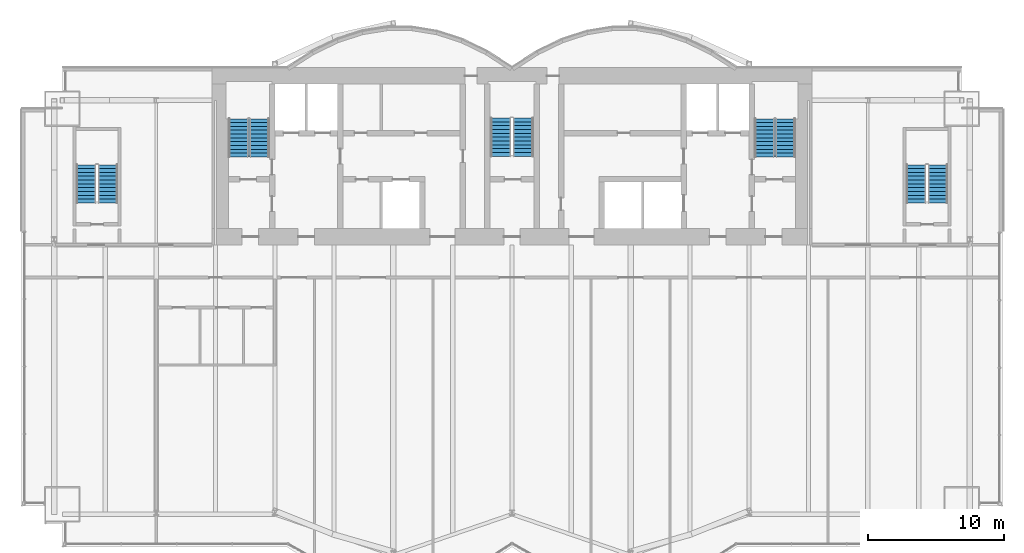
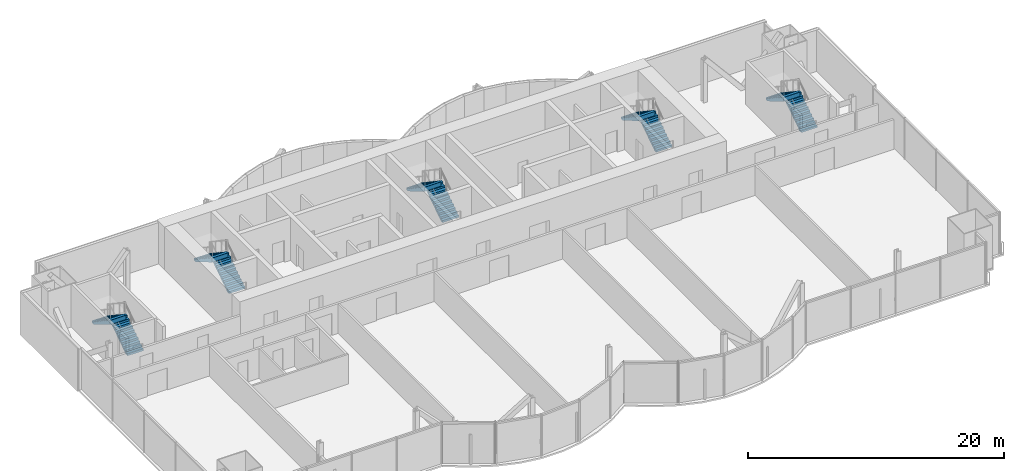
# One storey, part 18 of 21: 10 stair flights, 5 elements without a shape of their own.
"""IFC4 building model written with IfcOpenShell, lengths in metres."""

from ifc_helpers import new_model, si_unit, direction, frame, origin, place, context, subcontext, project, spatial, polyline, outline, extrude, material, type_object, element, aggregate, save


model = new_model("IFC4")

# Units and contexts
model_context = context("Model", 3, precision=1e-05, world=origin(), true_north=direction((0.0, 1.0)))
body_context = subcontext(model_context, "Body", "Model", "MODEL_VIEW")
ifc_project = project(units=[si_unit("LENGTHUNIT", "METRE"), si_unit("AREAUNIT", "SQUARE_METRE"), si_unit("VOLUMEUNIT", "CUBIC_METRE"), si_unit("PLANEANGLEUNIT", "RADIAN"), si_unit("MASSUNIT", "GRAM", prefix="KILO")], contexts=[model_context])

# Site, building, storey
site_placement = place(None, origin())
site = spatial("IfcSite", under=ifc_project, at=site_placement, CompositionType="ELEMENT")
building_placement = place(site_placement, origin())
building = spatial("IfcBuilding", under=site, at=building_placement, Name="Bicima Exchange Tower", CompositionType="ELEMENT")
storey_placement = place(building_placement, frame((0.0, 0.0, 156.800048828125)))
storey = spatial("IfcBuildingStorey", under=building, at=storey_placement, Name="L34", CompositionType="ELEMENT", Elevation=156.800048828125)

# Stair, stair flights
ifc_material = material(Name="Concrete C50/60", Category="concrete")
stair_type_1 = type_object("IfcStairType", Name="Exit stair", PredefinedType="HALF_TURN_STAIR", material=ifc_material)
stair_1_placement = place(storey_placement, origin())
stair_1 = element("IfcStair", 1, at=stair_1_placement, inside=storey, type_object=stair_type_1, Name="L34 West exit stair", PredefinedType="HALF_TURN_STAIR")
stair_flight_type_1 = type_object("IfcStairFlightType", Name="Stair flight RC", PredefinedType="STRAIGHT", material=ifc_material)
stair_flight_1_placement = place(storey_placement, frame((-18.52490234375, -6.550048828125, 0.0), z_axis=(0.0, 0.0, 1.0), x_axis=(0.0, 1.0, 0.0)))
stair_flight_1 = element("IfcStairFlight", 2, at=stair_flight_1_placement, type_object=stair_flight_type_1, Name="ST-W flight 1", NumberOfRisers=11, NumberOfTreads=10, PredefinedType="STRAIGHT", RiserHeight=0.186363636, TreadLength=0.28, context=body_context, shape_type="SweptSolid", body=[
    extrude(outline(polyline([(0.0, 0.0), (0.0, 0.186279296875), (0.280029296875, 0.186279296875), (0.280029296875, 0.372802734375), (0.56005859375, 0.372802734375), (0.56005859375, 0.55908203125), (0.840087890625, 0.55908203125), (0.840087890625, 0.745361328125), (1.1201171875, 0.745361328125), (1.1201171875, 0.931884765625), (1.39990234375, 0.931884765625), (1.39990234375, 1.1181640625), (1.679931640625, 1.1181640625), (1.679931640625, 1.304443359375), (1.9599609375, 1.304443359375), (1.9599609375, 1.490966796875), (2.239990234375, 1.490966796875), (2.239990234375, 1.67724609375), (2.52001953125, 1.67724609375), (2.52001953125, 1.863525390625), (2.800048828125, 1.863525390625), (2.800048828125, 2.050048828125), (2.800048828125, 1.68359375), (0.2705078125, 0.0), (0.0, 0.0)])), frame((0.0, 0.72509765625, 0.0), z_axis=(0.0, -1.0, 0.0), x_axis=(1.0, 0.0, 0.0)), (0.0, 0.0, 1.0), 1.449951171875),
])
stair_flight_2_placement = place(storey_placement, frame((-20.074951171875, -3.75, 2.050048828125), z_axis=(0.0, 0.0, 1.0), x_axis=(0.0, -1.0, 0.0)))
stair_flight_2 = element("IfcStairFlight", 3, at=stair_flight_2_placement, type_object=stair_flight_type_1, Name="ST-W flight 2", NumberOfRisers=11, NumberOfTreads=10, PredefinedType="STRAIGHT", RiserHeight=0.186363636, TreadLength=0.28, context=body_context, shape_type="SweptSolid", body=[
    extrude(outline(polyline([(0.0, 0.0), (0.0, 0.186279296875), (0.280029296875, 0.186279296875), (0.280029296875, 0.372802734375), (0.56005859375, 0.372802734375), (0.56005859375, 0.55908203125), (0.840087890625, 0.55908203125), (0.840087890625, 0.745361328125), (1.1201171875, 0.745361328125), (1.1201171875, 0.931884765625), (1.39990234375, 0.931884765625), (1.39990234375, 1.1181640625), (1.679931640625, 1.1181640625), (1.679931640625, 1.304443359375), (1.9599609375, 1.304443359375), (1.9599609375, 1.490966796875), (2.239990234375, 1.490966796875), (2.239990234375, 1.67724609375), (2.52001953125, 1.67724609375), (2.52001953125, 1.863525390625), (2.800048828125, 1.863525390625), (2.800048828125, 1.904052734375), (2.81494140625, 1.904052734375), (2.81494140625, 1.507080078125), (0.2705078125, 0.0), (0.0, 0.0)])), frame((0.0, 0.72509765625, 0.0), z_axis=(0.0, -1.0, 0.0), x_axis=(1.0, 0.0, 0.0)), (0.0, 0.0, 1.0), 1.449951171875),
])
aggregate(stair_1, [stair_flight_1, stair_flight_2])

stair_2_placement = place(storey_placement, origin())
stair_2 = element("IfcStair", 4, at=stair_2_placement, inside=storey, type_object=stair_type_1, Name="L34 East exit stair", PredefinedType="HALF_TURN_STAIR")
stair_flight_3_placement = place(storey_placement, frame((20.074951171875, -6.550048828125, 0.0), z_axis=(0.0, 0.0, 1.0), x_axis=(0.0, 1.0, 0.0)))
stair_flight_3 = element("IfcStairFlight", 5, at=stair_flight_3_placement, type_object=stair_flight_type_1, Name="ST-E flight 1", NumberOfRisers=11, NumberOfTreads=10, PredefinedType="STRAIGHT", RiserHeight=0.186363636, TreadLength=0.28, context=body_context, shape_type="SweptSolid", body=[
    extrude(outline(polyline([(0.0, 0.0), (0.0, 0.186279296875), (0.280029296875, 0.186279296875), (0.280029296875, 0.372802734375), (0.56005859375, 0.372802734375), (0.56005859375, 0.55908203125), (0.840087890625, 0.55908203125), (0.840087890625, 0.745361328125), (1.1201171875, 0.745361328125), (1.1201171875, 0.931884765625), (1.39990234375, 0.931884765625), (1.39990234375, 1.1181640625), (1.679931640625, 1.1181640625), (1.679931640625, 1.304443359375), (1.9599609375, 1.304443359375), (1.9599609375, 1.490966796875), (2.239990234375, 1.490966796875), (2.239990234375, 1.67724609375), (2.52001953125, 1.67724609375), (2.52001953125, 1.863525390625), (2.800048828125, 1.863525390625), (2.800048828125, 2.050048828125), (2.800048828125, 1.68359375), (0.2705078125, 0.0), (0.0, 0.0)])), frame((0.0, 0.72509765625, 0.0), z_axis=(0.0, -1.0, 0.0), x_axis=(1.0, 0.0, 0.0)), (0.0, 0.0, 1.0), 1.449951171875),
])
stair_flight_4_placement = place(storey_placement, frame((18.52490234375, -3.75, 2.050048828125), z_axis=(0.0, 0.0, 1.0), x_axis=(0.0, -1.0, 0.0)))
stair_flight_4 = element("IfcStairFlight", 6, at=stair_flight_4_placement, type_object=stair_flight_type_1, Name="ST-E flight 2", NumberOfRisers=11, NumberOfTreads=10, PredefinedType="STRAIGHT", RiserHeight=0.186363636, TreadLength=0.28, context=body_context, shape_type="SweptSolid", body=[
    extrude(outline(polyline([(0.0, 0.0), (0.0, 0.186279296875), (0.280029296875, 0.186279296875), (0.280029296875, 0.372802734375), (0.56005859375, 0.372802734375), (0.56005859375, 0.55908203125), (0.840087890625, 0.55908203125), (0.840087890625, 0.745361328125), (1.1201171875, 0.745361328125), (1.1201171875, 0.931884765625), (1.39990234375, 0.931884765625), (1.39990234375, 1.1181640625), (1.679931640625, 1.1181640625), (1.679931640625, 1.304443359375), (1.9599609375, 1.304443359375), (1.9599609375, 1.490966796875), (2.239990234375, 1.490966796875), (2.239990234375, 1.67724609375), (2.52001953125, 1.67724609375), (2.52001953125, 1.863525390625), (2.800048828125, 1.863525390625), (2.800048828125, 1.904052734375), (2.81494140625, 1.904052734375), (2.81494140625, 1.507080078125), (0.2705078125, 0.0), (0.0, 0.0)])), frame((0.0, 0.72509765625, 0.0), z_axis=(0.0, -1.0, 0.0), x_axis=(1.0, 0.0, 0.0)), (0.0, 0.0, 1.0), 1.449951171875),
])
aggregate(stair_2, [stair_flight_3, stair_flight_4])

stair_3_placement = place(storey_placement, origin())
stair_3 = element("IfcStair", 7, at=stair_3_placement, inside=storey, type_object=stair_type_1, Name="L34 West end exit stair", PredefinedType="HALF_TURN_STAIR")
stair_flight_5_placement = place(storey_placement, frame((-29.64990234375, -9.925048828125, 0.0), z_axis=(0.0, 0.0, 1.0), x_axis=(0.0, 1.0, 0.0)))
stair_flight_5 = element("IfcStairFlight", 8, at=stair_flight_5_placement, type_object=stair_flight_type_1, Name="ST-WW flight 1", NumberOfRisers=11, NumberOfTreads=10, PredefinedType="STRAIGHT", RiserHeight=0.186363636, TreadLength=0.28, context=body_context, shape_type="SweptSolid", body=[
    extrude(outline(polyline([(0.0, 0.0), (0.0, 0.186279296875), (0.280029296875, 0.186279296875), (0.280029296875, 0.372802734375), (0.56005859375, 0.372802734375), (0.56005859375, 0.55908203125), (0.840087890625, 0.55908203125), (0.840087890625, 0.745361328125), (1.1201171875, 0.745361328125), (1.1201171875, 0.931884765625), (1.39990234375, 0.931884765625), (1.39990234375, 1.1181640625), (1.679931640625, 1.1181640625), (1.679931640625, 1.304443359375), (1.9599609375, 1.304443359375), (1.9599609375, 1.490966796875), (2.239990234375, 1.490966796875), (2.239990234375, 1.67724609375), (2.52001953125, 1.67724609375), (2.52001953125, 1.863525390625), (2.800048828125, 1.863525390625), (2.800048828125, 2.050048828125), (2.800048828125, 1.68359375), (0.2705078125, 0.0), (0.0, 0.0)])), frame((0.0, 0.72509765625, 0.0), z_axis=(0.0, -1.0, 0.0), x_axis=(1.0, 0.0, 0.0)), (0.0, 0.0, 1.0), 1.449951171875),
])
stair_flight_6_placement = place(storey_placement, frame((-31.25, -7.125, 2.050048828125), z_axis=(0.0, 0.0, 1.0), x_axis=(0.0, -1.0, 0.0)))
stair_flight_6 = element("IfcStairFlight", 9, at=stair_flight_6_placement, type_object=stair_flight_type_1, Name="ST-WW flight 2", NumberOfRisers=11, NumberOfTreads=10, PredefinedType="STRAIGHT", RiserHeight=0.186363636, TreadLength=0.28, context=body_context, shape_type="SweptSolid", body=[
    extrude(outline(polyline([(0.0, 0.0), (0.0, 0.186279296875), (0.280029296875, 0.186279296875), (0.280029296875, 0.372802734375), (0.56005859375, 0.372802734375), (0.56005859375, 0.55908203125), (0.840087890625, 0.55908203125), (0.840087890625, 0.745361328125), (1.1201171875, 0.745361328125), (1.1201171875, 0.931884765625), (1.39990234375, 0.931884765625), (1.39990234375, 1.1181640625), (1.679931640625, 1.1181640625), (1.679931640625, 1.304443359375), (1.9599609375, 1.304443359375), (1.9599609375, 1.490966796875), (2.239990234375, 1.490966796875), (2.239990234375, 1.67724609375), (2.52001953125, 1.67724609375), (2.52001953125, 1.863525390625), (2.800048828125, 1.863525390625), (2.800048828125, 1.904052734375), (2.81494140625, 1.904052734375), (2.81494140625, 1.507080078125), (0.2705078125, 0.0), (0.0, 0.0)])), frame((0.0, 0.72509765625, 0.0), z_axis=(0.0, -1.0, 0.0), x_axis=(1.0, 0.0, 0.0)), (0.0, 0.0, 1.0), 1.449951171875),
])
aggregate(stair_3, [stair_flight_5, stair_flight_6])

stair_4_placement = place(storey_placement, origin())
stair_4 = element("IfcStair", 10, at=stair_4_placement, inside=storey, type_object=stair_type_1, Name="L34 East end exit stair", PredefinedType="HALF_TURN_STAIR")
stair_flight_7_placement = place(storey_placement, frame((31.25, -9.925048828125, 0.0), z_axis=(0.0, 0.0, 1.0), x_axis=(0.0, 1.0, 0.0)))
stair_flight_7 = element("IfcStairFlight", 11, at=stair_flight_7_placement, type_object=stair_flight_type_1, Name="ST-EE flight 1", NumberOfRisers=11, NumberOfTreads=10, PredefinedType="STRAIGHT", RiserHeight=0.186363636, TreadLength=0.28, context=body_context, shape_type="SweptSolid", body=[
    extrude(outline(polyline([(0.0, 0.0), (0.0, 0.186279296875), (0.280029296875, 0.186279296875), (0.280029296875, 0.372802734375), (0.56005859375, 0.372802734375), (0.56005859375, 0.55908203125), (0.840087890625, 0.55908203125), (0.840087890625, 0.745361328125), (1.1201171875, 0.745361328125), (1.1201171875, 0.931884765625), (1.39990234375, 0.931884765625), (1.39990234375, 1.1181640625), (1.679931640625, 1.1181640625), (1.679931640625, 1.304443359375), (1.9599609375, 1.304443359375), (1.9599609375, 1.490966796875), (2.239990234375, 1.490966796875), (2.239990234375, 1.67724609375), (2.52001953125, 1.67724609375), (2.52001953125, 1.863525390625), (2.800048828125, 1.863525390625), (2.800048828125, 2.050048828125), (2.800048828125, 1.68359375), (0.2705078125, 0.0), (0.0, 0.0)])), frame((0.0, 0.72509765625, 0.0), z_axis=(0.0, -1.0, 0.0), x_axis=(1.0, 0.0, 0.0)), (0.0, 0.0, 1.0), 1.449951171875),
])
stair_flight_8_placement = place(storey_placement, frame((29.64990234375, -7.125, 2.050048828125), z_axis=(0.0, 0.0, 1.0), x_axis=(0.0, -1.0, 0.0)))
stair_flight_8 = element("IfcStairFlight", 12, at=stair_flight_8_placement, type_object=stair_flight_type_1, Name="ST-EE flight 2", NumberOfRisers=11, NumberOfTreads=10, PredefinedType="STRAIGHT", RiserHeight=0.186363636, TreadLength=0.28, context=body_context, shape_type="SweptSolid", body=[
    extrude(outline(polyline([(0.0, 0.0), (0.0, 0.186279296875), (0.280029296875, 0.186279296875), (0.280029296875, 0.372802734375), (0.56005859375, 0.372802734375), (0.56005859375, 0.55908203125), (0.840087890625, 0.55908203125), (0.840087890625, 0.745361328125), (1.1201171875, 0.745361328125), (1.1201171875, 0.931884765625), (1.39990234375, 0.931884765625), (1.39990234375, 1.1181640625), (1.679931640625, 1.1181640625), (1.679931640625, 1.304443359375), (1.9599609375, 1.304443359375), (1.9599609375, 1.490966796875), (2.239990234375, 1.490966796875), (2.239990234375, 1.67724609375), (2.52001953125, 1.67724609375), (2.52001953125, 1.863525390625), (2.800048828125, 1.863525390625), (2.800048828125, 1.904052734375), (2.81494140625, 1.904052734375), (2.81494140625, 1.507080078125), (0.2705078125, 0.0), (0.0, 0.0)])), frame((0.0, 0.72509765625, 0.0), z_axis=(0.0, -1.0, 0.0), x_axis=(1.0, 0.0, 0.0)), (0.0, 0.0, 1.0), 1.449951171875),
])
aggregate(stair_4, [stair_flight_7, stair_flight_8])

stair_type_2 = type_object("IfcStairType", Name="Exit stair 1500", PredefinedType="HALF_TURN_STAIR", material=ifc_material)
stair_5_placement = place(storey_placement, origin())
stair_5 = element("IfcStair", 13, at=stair_5_placement, inside=storey, type_object=stair_type_2, Name="L34 Central exit stair", PredefinedType="HALF_TURN_STAIR")
stair_flight_type_2 = type_object("IfcStairFlightType", Name="Stair flight RC 1500", PredefinedType="STRAIGHT", material=ifc_material)
stair_flight_9_placement = place(storey_placement, frame((0.824951171875, -6.5, 0.0), z_axis=(0.0, 0.0, 1.0), x_axis=(0.0, 1.0, 0.0)))
stair_flight_9 = element("IfcStairFlight", 14, at=stair_flight_9_placement, type_object=stair_flight_type_2, Name="ST-C flight 1", NumberOfRisers=11, NumberOfTreads=10, PredefinedType="STRAIGHT", RiserHeight=0.186363636, TreadLength=0.28, context=body_context, shape_type="SweptSolid", body=[
    extrude(outline(polyline([(0.0, 0.0), (0.0, 0.186279296875), (0.280029296875, 0.186279296875), (0.280029296875, 0.372802734375), (0.56005859375, 0.372802734375), (0.56005859375, 0.55908203125), (0.840087890625, 0.55908203125), (0.840087890625, 0.745361328125), (1.1201171875, 0.745361328125), (1.1201171875, 0.931884765625), (1.39990234375, 0.931884765625), (1.39990234375, 1.1181640625), (1.679931640625, 1.1181640625), (1.679931640625, 1.304443359375), (1.9599609375, 1.304443359375), (1.9599609375, 1.490966796875), (2.239990234375, 1.490966796875), (2.239990234375, 1.67724609375), (2.52001953125, 1.67724609375), (2.52001953125, 1.863525390625), (2.800048828125, 1.863525390625), (2.800048828125, 2.050048828125), (2.800048828125, 1.68359375), (0.2705078125, 0.0), (0.0, 0.0)])), frame((0.0, 0.75, 0.0), z_axis=(0.0, -1.0, 0.0), x_axis=(1.0, 0.0, 0.0)), (0.0, 0.0, 1.0), 1.5),
])
stair_flight_10_placement = place(storey_placement, frame((-0.824951171875, -3.699951171875, 2.050048828125), z_axis=(0.0, 0.0, 1.0), x_axis=(0.0, -1.0, 0.0)))
stair_flight_10 = element("IfcStairFlight", 15, at=stair_flight_10_placement, type_object=stair_flight_type_2, Name="ST-C flight 2", NumberOfRisers=11, NumberOfTreads=10, PredefinedType="STRAIGHT", RiserHeight=0.186363636, TreadLength=0.28, context=body_context, shape_type="SweptSolid", body=[
    extrude(outline(polyline([(0.0, 0.0), (0.0, 0.186279296875), (0.280029296875, 0.186279296875), (0.280029296875, 0.372802734375), (0.56005859375, 0.372802734375), (0.56005859375, 0.55908203125), (0.840087890625, 0.55908203125), (0.840087890625, 0.745361328125), (1.1201171875, 0.745361328125), (1.1201171875, 0.931884765625), (1.39990234375, 0.931884765625), (1.39990234375, 1.1181640625), (1.679931640625, 1.1181640625), (1.679931640625, 1.304443359375), (1.9599609375, 1.304443359375), (1.9599609375, 1.490966796875), (2.239990234375, 1.490966796875), (2.239990234375, 1.67724609375), (2.52001953125, 1.67724609375), (2.52001953125, 1.863525390625), (2.800048828125, 1.863525390625), (2.800048828125, 1.904052734375), (2.81494140625, 1.904052734375), (2.81494140625, 1.507080078125), (0.2705078125, 0.0), (0.0, 0.0)])), frame((0.0, 0.75, 0.0), z_axis=(0.0, -1.0, 0.0), x_axis=(1.0, 0.0, 0.0)), (0.0, 0.0, 1.0), 1.5),
])
aggregate(stair_5, [stair_flight_9, stair_flight_10])

save(model, "model.ifc")
